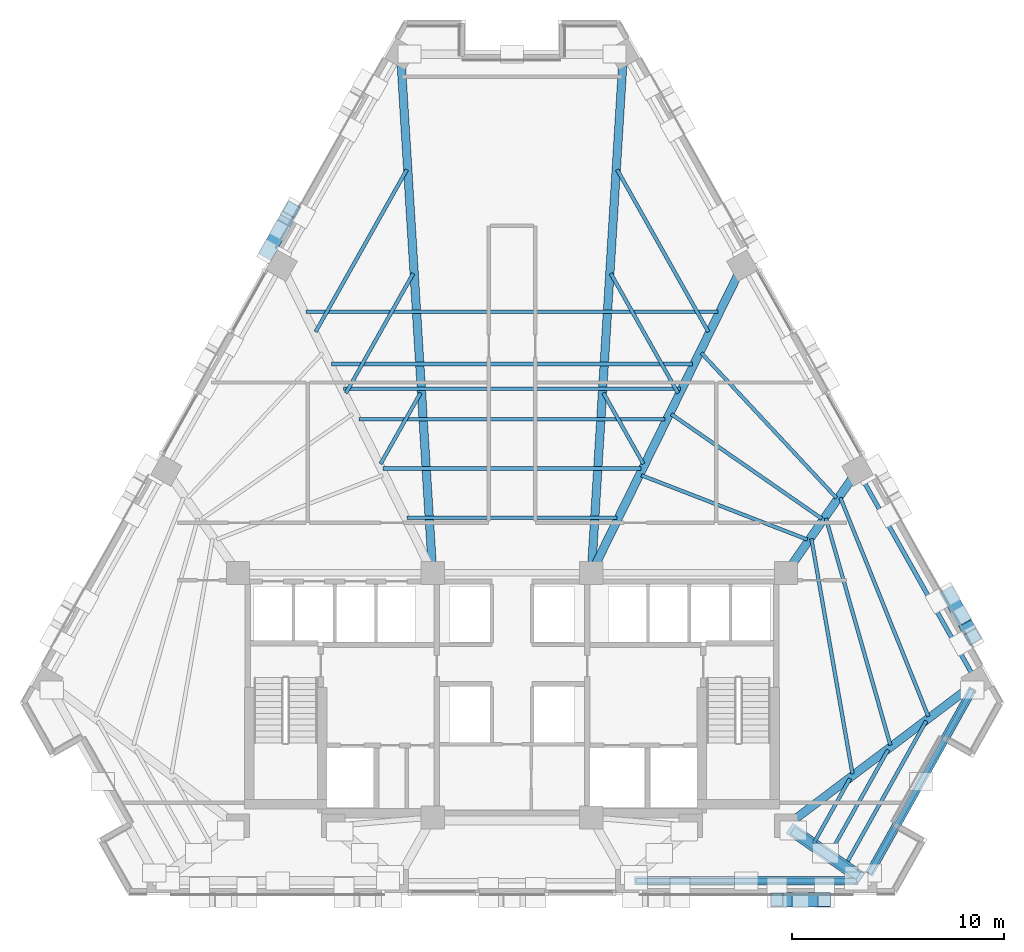
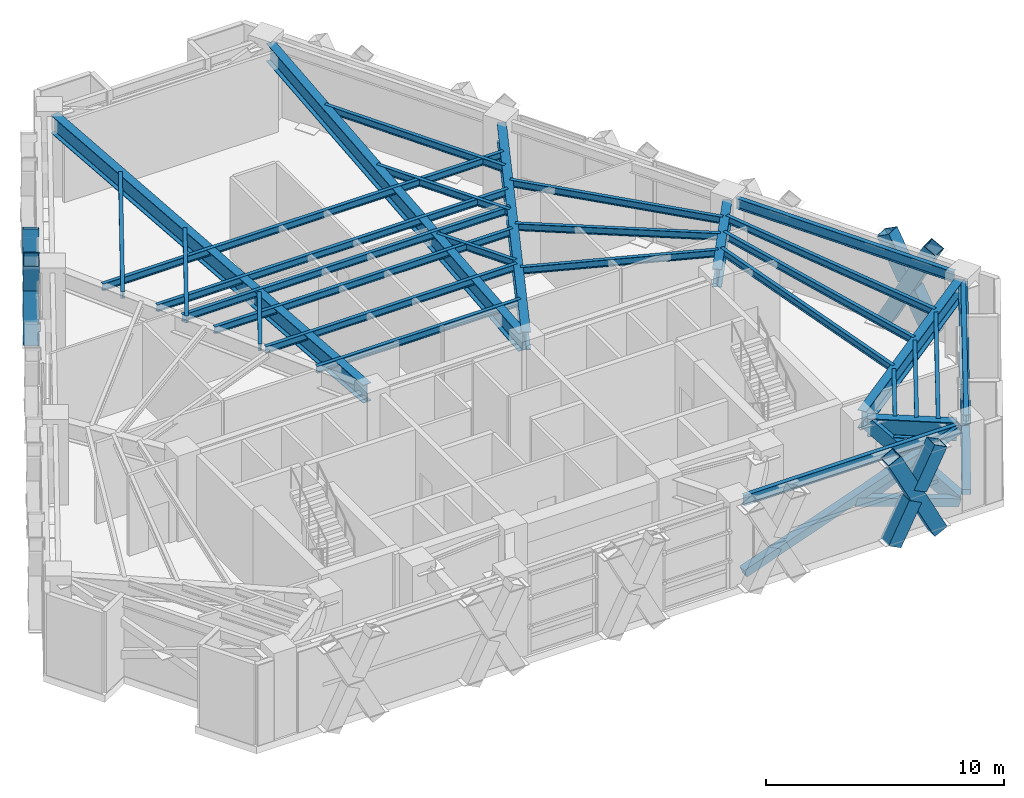
# One storey, part 3 of 12: 30 beams, 16 members.
"""IFC4 building model written with IfcOpenShell, lengths in metres."""

from ifc_helpers import new_model, si_unit, direction, frame, origin, origin_2d, place, context, subcontext, project, spatial, hollow_rectangle, i_section, extrude, material, material_profile, profile_set, type_object, element, save


model = new_model("IFC4")

# Units and contexts
model_context = context("Model", 3, precision=1e-05, world=origin(), true_north=direction((0.0, 1.0)))
body_context = subcontext(model_context, "Body", "Model", "MODEL_VIEW")
ifc_project = project(units=[si_unit("LENGTHUNIT", "METRE"), si_unit("AREAUNIT", "SQUARE_METRE"), si_unit("VOLUMEUNIT", "CUBIC_METRE"), si_unit("PLANEANGLEUNIT", "RADIAN"), si_unit("MASSUNIT", "GRAM", prefix="KILO")], contexts=[model_context])

# Site, building, storey
site_placement = place(None, origin())
site = spatial("IfcSite", under=ifc_project, at=site_placement, CompositionType="ELEMENT")
building_placement = place(site_placement, origin())
building = spatial("IfcBuilding", under=site, at=building_placement, Name="Quenlor Broadcast Tower", CompositionType="ELEMENT")
storey_placement = place(building_placement, frame((0.0, 0.0, 90.60009765625)))
storey = spatial("IfcBuildingStorey", under=building, at=storey_placement, Name="L24", CompositionType="ELEMENT", Elevation=90.60009765625)

# Members
ifc_material_1 = material(Name="Steel S355", Category="steel")
ifc_material_profile_1 = material_profile(ifc_material_1, hollow_rectangle(XDim=0.39990234375, YDim=0.39990234375, WallThickness=0.02197265625, at=origin_2d()))
ifc_profile_set_1 = profile_set([ifc_material_profile_1], Name="Steel S355 RHS400x400x22")
member_type_1 = type_object("IfcMemberType", Name="Belt Truss Diagonal Chord Steel S355 RHS400x22", PredefinedType="CHORD", material=ifc_profile_set_1)
member_1_placement = place(storey_placement, frame((5.86328125, -19.35009765625, 0.199951171875), z_axis=(0.941385713687, 0.0, 0.337332088698), x_axis=(0.0, 1.0, 0.0)))
element("IfcMember", 1, at=member_1_placement, inside=storey, type_object=member_type_1, Name="L24 Belt Truss Continuous Chord 3A", PredefinedType="CHORD", context=body_context, shape_type="SweptSolid", body=[
    extrude(hollow_rectangle(XDim=0.39990234375, YDim=0.39990234375, WallThickness=0.02197265625, at=origin_2d()), origin(), (0.0, 0.0, 1.0), 11.057373046875),
])
member_2_placement = place(storey_placement, frame((11.24658203125, -19.35009765625, 2.000732421875), z_axis=(0.94139585371, 0.0, -0.337303789807), x_axis=(0.0, 1.0, 0.0)))
element("IfcMember", 2, at=member_2_placement, inside=storey, type_object=member_type_1, Name="L24 Belt Truss Split Chord 3B2", PredefinedType="CHORD", context=body_context, shape_type="SweptSolid", body=[
    extrude(hollow_rectangle(XDim=0.39990234375, YDim=0.39990234375, WallThickness=0.02197265625, at=origin_2d()), origin(), (0.0, 0.0, 1.0), 5.3388671875),
])
member_3_placement = place(storey_placement, frame((16.897705078125, -18.983642578125, 0.199951171875), z_axis=(0.457514984103, 0.816680246871, 0.351729176628), x_axis=(-0.872426742385, 0.48874490194, 0.0)))
element("IfcMember", 3, at=member_3_placement, inside=storey, type_object=member_type_1, Name="L24 Belt Truss Continuous Chord 4A", PredefinedType="CHORD", context=body_context, shape_type="SweptSolid", body=[
    extrude(hollow_rectangle(XDim=0.39990234375, YDim=0.39990234375, WallThickness=0.02197265625, at=origin_2d()), origin(), (0.0, 0.0, 1.0), 10.604736328125),
])
member_4_placement = place(storey_placement, frame((16.897705078125, -18.983642578125, 3.929931640625), z_axis=(0.457520158995, 0.816669424813, -0.351747572399), x_axis=(-0.872421623598, 0.488754039042, 0.0)))
element("IfcMember", 4, at=member_4_placement, inside=storey, type_object=member_type_1, Name="L24 Belt Truss Split Chord 4B1", PredefinedType="CHORD", context=body_context, shape_type="SweptSolid", body=[
    extrude(hollow_rectangle(XDim=0.39990234375, YDim=0.39990234375, WallThickness=0.02197265625, at=origin_2d()), origin(), (0.0, 0.0, 1.0), 5.112548828125),
])
member_5_placement = place(storey_placement, frame((19.410400390625, -14.498046875, 1.998046875), z_axis=(0.457545687542, 0.816667237517, -0.35171944356), x_axis=(-0.87240943681, 0.488775791713, 0.0)))
element("IfcMember", 5, at=member_5_placement, inside=storey, type_object=member_type_1, Name="L24 Belt Truss Split Chord 4B2", PredefinedType="CHORD", context=body_context, shape_type="SweptSolid", body=[
    extrude(hollow_rectangle(XDim=0.39990234375, YDim=0.39990234375, WallThickness=0.02197265625, at=origin_2d()), origin(), (0.0, 0.0, 1.0), 5.1123046875),
])
ifc_material_2 = material(Name="Steel S355", Category="steel")
ifc_material_profile_2 = material_profile(ifc_material_2, hollow_rectangle(XDim=0.60009765625, YDim=0.60009765625, WallThickness=0.031982421875, at=origin_2d()))
ifc_profile_set_2 = profile_set([ifc_material_profile_2], Name="Steel S355 RHS600x600x32")
member_type_2 = type_object("IfcMemberType", Name="Lower Outrigger Truss Strut Steel S355 RHS600x32", PredefinedType="STRUT", material=ifc_profile_set_2)
member_6_placement = place(storey_placement, frame((13.278564453125, -16.978271484375, 0.199951171875), z_axis=(0.58127317995, -0.403807070281, 0.706442736718), x_axis=(0.570534149047, 0.82127387927, 0.0)))
element("IfcMember", 6, at=member_6_placement, inside=storey, type_object=member_type_2, Name="L24 Outrigger Continuous Strut 2A", PredefinedType="STRUT", context=body_context, shape_type="SweptSolid", body=[
    extrude(hollow_rectangle(XDim=0.60009765625, YDim=0.60009765625, WallThickness=0.031982421875, at=origin_2d()), origin(), (0.0, 0.0, 1.0), 5.280029296875),
])
for number, where, z_axis, x_axis, name in (
    (7, (13.278564453125, -16.978271484375, 3.929931640625), (0.581284052979, -0.403764310158, -0.706458230609), (0.570486199222, 0.821307187657, 0.0), "L24 Outrigger Split Strut 2B1"),
    (8, (14.975830078125, -18.157470703125, 1.8671875), (0.581284052979, -0.403764310158, -0.706458230609), (0.570486199222, 0.821307187657, 0.0), "L24 Outrigger Split Strut 2B2"),
):
    element("IfcMember", number, at=place(storey_placement, frame(where, z_axis=z_axis, x_axis=x_axis)), inside=storey, type_object=member_type_2, Name=name, PredefinedType="STRUT", context=body_context, shape_type="SweptSolid", body=[
        extrude(hollow_rectangle(XDim=0.60009765625, YDim=0.60009765625, WallThickness=0.031982421875, at=origin_2d()), origin(), (0.0, 0.0, 1.0), 2.360107421875),
    ])

# Beams
ifc_material_3 = material(Name="Steel S355", Category="steel")
ifc_material_profile_3 = material_profile(ifc_material_3, i_section(OverallWidth=0.39990234375, OverallDepth=0.924072265625, WebThickness=0.01611328125, FlangeThickness=0.028076171875, FilletRadius=0.01611328125, at=origin_2d()))
ifc_profile_set_3 = profile_set([ifc_material_profile_3], Name="Steel S355 900WB282")
beam_type_1 = type_object("IfcBeamType", Name="Outrigger Level Collector Girder Steel S355 900WB282", PredefinedType="BEAM", material=ifc_profile_set_3)
beam_1_placement = place(storey_placement, frame((16.355712890625, -19.1162109375, 3.68798828125), z_axis=(-0.821227395059, 0.570601056436, 0.0), x_axis=(-0.570601056436, -0.821227395059, 0.0)))
element("IfcBeam", 9, at=beam_1_placement, inside=storey, type_object=beam_type_1, Name="L24 Primary Radial Beam S4", PredefinedType="BEAM", context=body_context, shape_type="SweptSolid", body=[
    extrude(i_section(OverallWidth=0.39990234375, OverallDepth=0.924072265625, WebThickness=0.01611328125, FlangeThickness=0.028076171875, FilletRadius=0.01611328125, at=origin_2d()), origin(), (0.0, 0.0, 1.0), 3.766845703125),
])
beam_2_placement = place(storey_placement, frame((21.62744140625, -10.203369140625, 3.68798828125), z_axis=(-0.798298724007, -0.602261693327, 0.0), x_axis=(0.602261693327, -0.798298724007, 0.0)))
element("IfcBeam", 10, at=beam_2_placement, inside=storey, type_object=beam_type_1, Name="L24 Primary Radial Beam NE1", PredefinedType="BEAM", context=body_context, shape_type="SweptSolid", body=[
    extrude(i_section(OverallWidth=0.39990234375, OverallDepth=0.924072265625, WebThickness=0.01611328125, FlangeThickness=0.028076171875, FilletRadius=0.01611328125, at=origin_2d()), origin(), (0.0, 0.0, 1.0), 10.48974609375),
])
beam_3_placement = place(storey_placement, frame((16.095458984375, -0.293212890625, 3.68798828125), z_axis=(-0.572337599985, -0.820018092266, 0.0), x_axis=(0.820018092266, -0.572337599985, 0.0)))
element("IfcBeam", 11, at=beam_3_placement, inside=storey, type_object=beam_type_1, Name="L24 Primary Radial Beam NE2", PredefinedType="BEAM", context=body_context, shape_type="SweptSolid", body=[
    extrude(i_section(OverallWidth=0.39990234375, OverallDepth=0.924072265625, WebThickness=0.01611328125, FlangeThickness=0.028076171875, FilletRadius=0.01611328125, at=origin_2d()), origin(), (0.0, 0.0, 1.0), 5.11572265625),
])
beam_4_placement = place(storey_placement, frame((10.7060546875, 9.351806640625, 3.68798828125), z_axis=(-0.441130328176, -0.897443053103, 0.0), x_axis=(0.897443053103, -0.441130328176, 0.0)))
element("IfcBeam", 12, at=beam_4_placement, inside=storey, type_object=beam_type_1, Name="L24 Primary Radial Beam NE3", PredefinedType="BEAM", context=body_context, shape_type="SweptSolid", body=[
    extrude(i_section(OverallWidth=0.39990234375, OverallDepth=0.924072265625, WebThickness=0.01611328125, FlangeThickness=0.028076171875, FilletRadius=0.01611328125, at=origin_2d()), origin(), (0.0, 0.0, 1.0), 15.38916015625),
])
for number, where, z_axis, x_axis, name in (
    (13, (5.237060546875, 19.309814453125, 3.68798828125), (-0.061559977358, -0.998103386022, 0.0), (0.998103386022, -0.061559977358, 0.0), "L24 Primary Radial Beam NE4"),
    (14, (-5.237060546875, 19.309814453125, 3.68798828125), (0.061559977358, -0.998103386022, 0.0), (0.998103386022, 0.061559977358, 0.0), "L24 Primary Radial Beam NW1"),
):
    element("IfcBeam", number, at=place(storey_placement, frame(where, z_axis=z_axis, x_axis=x_axis)), inside=storey, type_object=beam_type_1, Name=name, PredefinedType="BEAM", context=body_context, shape_type="SweptSolid", body=[
        extrude(i_section(OverallWidth=0.39990234375, OverallDepth=0.924072265625, WebThickness=0.01611328125, FlangeThickness=0.028076171875, FilletRadius=0.01611328125, at=origin_2d()), origin(), (0.0, 0.0, 1.0), 23.775634765625),
    ])

# Members
ifc_material_4 = material(Name="Steel S355", Category="steel")
ifc_material_profile_4 = material_profile(ifc_material_4, hollow_rectangle(XDim=0.679931640625, YDim=0.679931640625, WallThickness=0.030029296875, at=origin_2d()))
ifc_profile_set_4 = profile_set([ifc_material_profile_4], Name="Steel S355 RHS680x680x30")
member_type_3 = type_object("IfcMemberType", Name="Perimeter Diagonal Lattice Brace Z2 Steel S355 RHS680x30", PredefinedType="BRACE", material=ifc_profile_set_4)
member_7_placement = place(storey_placement, frame((14.7578125, -20.235107421875, -0.1201171875), z_axis=(-0.454513559564, 0.0, 0.89073981845), x_axis=(0.0, -1.0, 0.0)))
element("IfcMember", 15, at=member_7_placement, inside=storey, type_object=member_type_3, Name="L24 Perimeter Diamond Lattice S-C1XA", PredefinedType="BRACE", context=body_context, shape_type="SweptSolid", body=[
    extrude(hollow_rectangle(XDim=0.679931640625, YDim=0.679931640625, WallThickness=0.030029296875, at=origin_2d()), origin(), (0.0, 0.0, 1.0), 4.939697265625),
])
member_8_placement = place(storey_placement, frame((12.5126953125, -20.235107421875, -0.1201171875), z_axis=(0.454457874742, 0.0, 0.890768230285), x_axis=(0.0, 1.0, 0.0)))
element("IfcMember", 16, at=member_8_placement, inside=storey, type_object=member_type_3, Name="L24 Perimeter Diamond Lattice S-C1XB1", PredefinedType="BRACE", context=body_context, shape_type="SweptSolid", body=[
    extrude(hollow_rectangle(XDim=0.679931640625, YDim=0.679931640625, WallThickness=0.030029296875, at=origin_2d()), origin(), (0.0, 0.0, 1.0), 2.2197265625),
])
member_9_placement = place(storey_placement, frame((13.748779296875, -20.235107421875, 2.302490234375), z_axis=(0.454545137754, 0.0, 0.890723704492), x_axis=(0.0, 1.0, 0.0)))
element("IfcMember", 17, at=member_9_placement, inside=storey, type_object=member_type_3, Name="L24 Perimeter Diamond Lattice S-C1XB2", PredefinedType="BRACE", context=body_context, shape_type="SweptSolid", body=[
    extrude(hollow_rectangle(XDim=0.679931640625, YDim=0.679931640625, WallThickness=0.030029296875, at=origin_2d()), origin(), (0.0, 0.0, 1.0), 2.219970703125),
])
member_10_placement = place(storey_placement, frame((20.643798828125, -5.821044921875, -0.1201171875), z_axis=(0.22659922963, -0.402761062871, 0.886812446556), x_axis=(0.871532878923, 0.490337068716, 0.0)))
element("IfcMember", 18, at=member_10_placement, inside=storey, type_object=member_type_3, Name="L24 Perimeter Diamond Lattice NE-C5XA", PredefinedType="BRACE", context=body_context, shape_type="SweptSolid", body=[
    extrude(hollow_rectangle(XDim=0.679931640625, YDim=0.679931640625, WallThickness=0.030029296875, at=origin_2d()), origin(), (0.0, 0.0, 1.0), 4.96142578125),
])
for number, where, z_axis, x_axis, name in (
    (19, (21.76806640625, -7.8193359375, -0.1201171875), (-0.226549837696, 0.402755267015, 0.886827697995), (-0.871575537125, -0.490261239633, 0.0), "L24 Perimeter Diamond Lattice NE-C5XB1"),
    (20, (21.1494140625, -6.719482421875, 2.301513671875), (-0.226653660987, 0.402745278817, 0.886805704961), (-0.871474328146, -0.490441123258, 0.0), "L24 Perimeter Diamond Lattice NE-C5XB2"),
):
    element("IfcMember", number, at=place(storey_placement, frame(where, z_axis=z_axis, x_axis=x_axis)), inside=storey, type_object=member_type_3, Name=name, PredefinedType="BRACE", context=body_context, shape_type="SweptSolid", body=[
        extrude(hollow_rectangle(XDim=0.679931640625, YDim=0.679931640625, WallThickness=0.030029296875, at=origin_2d()), origin(), (0.0, 0.0, 1.0), 2.230712890625),
    ])
member_11_placement = place(storey_placement, frame((-11.52880859375, 10.3837890625, -0.1201171875), z_axis=(0.226552548286, 0.402765553372, 0.886822333888), x_axis=(-0.871578380919, 0.490256183964, 0.0)))
element("IfcMember", 21, at=member_11_placement, inside=storey, type_object=member_type_3, Name="L24 Perimeter Diamond Lattice NW-C4XA", PredefinedType="BRACE", context=body_context, shape_type="SweptSolid", body=[
    extrude(hollow_rectangle(XDim=0.679931640625, YDim=0.679931640625, WallThickness=0.030029296875, at=origin_2d()), origin(), (0.0, 0.0, 1.0), 4.96142578125),
])
member_12_placement = place(storey_placement, frame((-11.023193359375, 11.2822265625, 2.301513671875), z_axis=(-0.226653660987, -0.402745278817, 0.886805704961), x_axis=(0.871474328146, -0.490441123258, 0.0)))
element("IfcMember", 22, at=member_12_placement, inside=storey, type_object=member_type_3, Name="L24 Perimeter Diamond Lattice NW-C4XB2", PredefinedType="BRACE", context=body_context, shape_type="SweptSolid", body=[
    extrude(hollow_rectangle(XDim=0.679931640625, YDim=0.679931640625, WallThickness=0.030029296875, at=origin_2d()), origin(), (0.0, 0.0, 1.0), 2.230712890625),
])

# Beams
ifc_material_5 = material(Name="Steel S355", Category="steel")
ifc_material_profile_5 = material_profile(ifc_material_5, i_section(OverallWidth=0.208984375, OverallDepth=0.5283203125, WebThickness=0.009521484375, FlangeThickness=0.01318359375, FilletRadius=0.013916015625, at=origin_2d()))
ifc_profile_set_5 = profile_set([ifc_material_profile_5], Name="Steel S355 530UB82.0")
beam_type_2 = type_object("IfcBeamType", Name="Perimeter Spandrel Beam Z2 Steel S355 530UB82.0", PredefinedType="SPANDREL", material=ifc_profile_set_5)
beam_5_placement = place(storey_placement, frame((5.853271484375, -19.35009765625, 3.8857421875), z_axis=(1.0, 0.0, 0.0), x_axis=(0.0, 1.0, 0.0)))
element("IfcBeam", 23, at=beam_5_placement, inside=storey, type_object=beam_type_2, Name="L24 Spandrel Beam S3-S4", PredefinedType="SPANDREL", context=body_context, shape_type="SweptSolid", body=[
    extrude(i_section(OverallWidth=0.208984375, OverallDepth=0.5283203125, WebThickness=0.009521484375, FlangeThickness=0.01318359375, FilletRadius=0.013916015625, at=origin_2d()), origin(), (0.0, 0.0, 1.0), 10.42919921875),
])
beam_6_placement = place(storey_placement, frame((16.892822265625, -18.9921875, 3.8857421875), z_axis=(0.488749102779, 0.872424389006, 0.0), x_axis=(-0.872424389006, 0.488749102779, 0.0)))
element("IfcBeam", 24, at=beam_6_placement, inside=storey, type_object=beam_type_2, Name="L24 Spandrel Beam S4-NE1", PredefinedType="SPANDREL", context=body_context, shape_type="SweptSolid", body=[
    extrude(i_section(OverallWidth=0.208984375, OverallDepth=0.5283203125, WebThickness=0.009521484375, FlangeThickness=0.01318359375, FilletRadius=0.013916015625, at=origin_2d()), origin(), (0.0, 0.0, 1.0), 9.947021484375),
])
beam_7_placement = place(storey_placement, frame((21.753662109375, -9.59912109375, 3.8857421875), z_axis=(-0.490263415828, 0.871574313011, 0.0), x_axis=(-0.871574313011, -0.490263415828, 0.0)))
element("IfcBeam", 25, at=beam_7_placement, inside=storey, type_object=beam_type_2, Name="L24 Spandrel Beam NE1-NE2", PredefinedType="SPANDREL", context=body_context, shape_type="SweptSolid", body=[
    extrude(i_section(OverallWidth=0.208984375, OverallDepth=0.5283203125, WebThickness=0.009521484375, FlangeThickness=0.01318359375, FilletRadius=0.013916015625, at=origin_2d()), origin(), (0.0, 0.0, 1.0), 10.65283203125),
])
ifc_material_6 = material(Name="Steel S355", Category="steel")
ifc_material_profile_6 = material_profile(ifc_material_6, i_section(OverallWidth=0.172119140625, OverallDepth=0.358642578125, WebThickness=0.008056640625, FlangeThickness=0.012939453125, FilletRadius=0.011474609375, at=origin_2d()))
ifc_profile_set_6 = profile_set([ifc_material_profile_6], Name="Steel S355 360UB56.7")
beam_type_3 = type_object("IfcBeamType", Name="Tower Composite Joist Z2-Z3 Steel S355 360UB56.7", PredefinedType="JOIST", material=ifc_profile_set_6)
beam_8_placement = place(storey_placement, frame((-4.95458984375, -2.1865234375, 3.970703125), z_axis=(1.0, 0.0, 0.0), x_axis=(0.0, 1.0, 0.0)))
element("IfcBeam", 26, at=beam_8_placement, inside=storey, type_object=beam_type_3, Name="L24 Secondary Composite Joist 1", PredefinedType="JOIST", context=body_context, shape_type="SweptSolid", body=[
    extrude(i_section(OverallWidth=0.172119140625, OverallDepth=0.358642578125, WebThickness=0.008056640625, FlangeThickness=0.012939453125, FilletRadius=0.011474609375, at=origin_2d()), origin(), (0.0, 0.0, 1.0), 9.9091796875),
])
beam_9_placement = place(storey_placement, frame((-7.9521484375, 3.911865234375, 3.970703125), z_axis=(1.0, 0.0, 0.0), x_axis=(0.0, 1.0, 0.0)))
element("IfcBeam", 27, at=beam_9_placement, inside=storey, type_object=beam_type_3, Name="L24 Secondary Composite Joist 2", PredefinedType="JOIST", context=body_context, shape_type="SweptSolid", body=[
    extrude(i_section(OverallWidth=0.172119140625, OverallDepth=0.358642578125, WebThickness=0.008056640625, FlangeThickness=0.012939453125, FilletRadius=0.011474609375, at=origin_2d()), origin(), (0.0, 0.0, 1.0), 15.904296875),
])
beam_10_placement = place(storey_placement, frame((-6.096435546875, 0.13671875, 3.970703125), z_axis=(1.0, 0.0, 0.0), x_axis=(0.0, 1.0, 0.0)))
element("IfcBeam", 28, at=beam_10_placement, inside=storey, type_object=beam_type_3, Name="L24 Secondary Composite Joist 3", PredefinedType="JOIST", context=body_context, shape_type="SweptSolid", body=[
    extrude(i_section(OverallWidth=0.172119140625, OverallDepth=0.358642578125, WebThickness=0.008056640625, FlangeThickness=0.012939453125, FilletRadius=0.011474609375, at=origin_2d()), origin(), (0.0, 0.0, 1.0), 12.19287109375),
])
beam_11_placement = place(storey_placement, frame((-7.238525390625, 2.4599609375, 3.970703125), z_axis=(1.0, 0.0, 0.0), x_axis=(0.0, 1.0, 0.0)))
element("IfcBeam", 29, at=beam_11_placement, inside=storey, type_object=beam_type_3, Name="L24 Secondary Composite Joist 4", PredefinedType="JOIST", context=body_context, shape_type="SweptSolid", body=[
    extrude(i_section(OverallWidth=0.172119140625, OverallDepth=0.358642578125, WebThickness=0.008056640625, FlangeThickness=0.012939453125, FilletRadius=0.011474609375, at=origin_2d()), origin(), (0.0, 0.0, 1.0), 14.47705078125),
])
beam_12_placement = place(storey_placement, frame((-8.523193359375, 5.073486328125, 3.970703125), z_axis=(1.0, 0.0, 0.0), x_axis=(0.0, 1.0, 0.0)))
element("IfcBeam", 30, at=beam_12_placement, inside=storey, type_object=beam_type_3, Name="L24 Secondary Composite Joist 5", PredefinedType="JOIST", context=body_context, shape_type="SweptSolid", body=[
    extrude(i_section(OverallWidth=0.172119140625, OverallDepth=0.358642578125, WebThickness=0.008056640625, FlangeThickness=0.012939453125, FilletRadius=0.011474609375, at=origin_2d()), origin(), (0.0, 0.0, 1.0), 17.04638671875),
])
beam_13_placement = place(storey_placement, frame((-9.736328125, 7.541748046875, 3.970703125), z_axis=(1.0, 0.0, 0.0), x_axis=(0.0, 1.0, 0.0)))
element("IfcBeam", 31, at=beam_13_placement, inside=storey, type_object=beam_type_3, Name="L24 Secondary Composite Joist 6", PredefinedType="JOIST", context=body_context, shape_type="SweptSolid", body=[
    extrude(i_section(OverallWidth=0.172119140625, OverallDepth=0.358642578125, WebThickness=0.008056640625, FlangeThickness=0.012939453125, FilletRadius=0.011474609375, at=origin_2d()), origin(), (0.0, 0.0, 1.0), 19.47265625),
])
beam_14_placement = place(storey_placement, frame((13.95703125, -3.221435546875, 3.970703125), z_axis=(-0.932542579586, 0.361060018916, 0.0), x_axis=(-0.361060018916, -0.932542579586, 0.0)))
element("IfcBeam", 32, at=beam_14_placement, inside=storey, type_object=beam_type_3, Name="L24 Secondary Composite Joist 10", PredefinedType="JOIST", context=body_context, shape_type="SweptSolid", body=[
    extrude(i_section(OverallWidth=0.172119140625, OverallDepth=0.358642578125, WebThickness=0.008056640625, FlangeThickness=0.012939453125, FilletRadius=0.011474609375, at=origin_2d()), origin(), (0.0, 0.0, 1.0), 8.416259765625),
])
beam_15_placement = place(storey_placement, frame((14.641845703125, -2.236083984375, 3.970703125), z_axis=(-0.821385737622, 0.570373097219, 0.0), x_axis=(-0.570373097219, -0.821385737622, 0.0)))
element("IfcBeam", 33, at=beam_15_placement, inside=storey, type_object=beam_type_3, Name="L24 Secondary Composite Joist 11", PredefinedType="JOIST", context=body_context, shape_type="SweptSolid", body=[
    extrude(i_section(OverallWidth=0.172119140625, OverallDepth=0.358642578125, WebThickness=0.008056640625, FlangeThickness=0.012939453125, FilletRadius=0.011474609375, at=origin_2d()), origin(), (0.0, 0.0, 1.0), 8.662109375),
])
beam_16_placement = place(storey_placement, frame((15.3291015625, -1.254638671875, 3.970703125), z_axis=(-0.681880655944, 0.73146344478, 0.0), x_axis=(-0.73146344478, -0.681880655944, 0.0)))
element("IfcBeam", 34, at=beam_16_placement, inside=storey, type_object=beam_type_3, Name="L24 Secondary Composite Joist 12", PredefinedType="JOIST", context=body_context, shape_type="SweptSolid", body=[
    extrude(i_section(OverallWidth=0.172119140625, OverallDepth=0.358642578125, WebThickness=0.008056640625, FlangeThickness=0.012939453125, FilletRadius=0.011474609375, at=origin_2d()), origin(), (0.0, 0.0, 1.0), 9.365234375),
])
beam_17_placement = place(storey_placement, frame((16.087890625, -14.29345703125, 3.970703125), z_axis=(-0.172120396521, 0.985075920476, 0.0), x_axis=(-0.985075920476, -0.172120396521, 0.0)))
element("IfcBeam", 35, at=beam_17_placement, inside=storey, type_object=beam_type_3, Name="L24 Secondary Composite Joist 16", PredefinedType="JOIST", context=body_context, shape_type="SweptSolid", body=[
    extrude(i_section(OverallWidth=0.172119140625, OverallDepth=0.358642578125, WebThickness=0.008056640625, FlangeThickness=0.012939453125, FilletRadius=0.011474609375, at=origin_2d()), origin(), (0.0, 0.0, 1.0), 11.27783203125),
])
beam_18_placement = place(storey_placement, frame((17.880615234375, -12.9365234375, 3.970703125), z_axis=(-0.273563993601, 0.96185380459, 0.0), x_axis=(-0.96185380459, -0.273563993601, 0.0)))
element("IfcBeam", 36, at=beam_18_placement, inside=storey, type_object=beam_type_3, Name="L24 Secondary Composite Joist 17", PredefinedType="JOIST", context=body_context, shape_type="SweptSolid", body=[
    extrude(i_section(OverallWidth=0.172119140625, OverallDepth=0.358642578125, WebThickness=0.008056640625, FlangeThickness=0.012939453125, FilletRadius=0.011474609375, at=origin_2d()), origin(), (0.0, 0.0, 1.0), 11.1484375),
])
beam_19_placement = place(storey_placement, frame((19.673583984375, -11.580810546875, 3.970703125), z_axis=(-0.373180395983, 0.92775880058, 0.0), x_axis=(-0.92775880058, -0.373180395983, 0.0)))
element("IfcBeam", 37, at=beam_19_placement, inside=storey, type_object=beam_type_3, Name="L24 Secondary Composite Joist 18", PredefinedType="JOIST", context=body_context, shape_type="SweptSolid", body=[
    extrude(i_section(OverallWidth=0.172119140625, OverallDepth=0.358642578125, WebThickness=0.008056640625, FlangeThickness=0.012939453125, FilletRadius=0.011474609375, at=origin_2d()), origin(), (0.0, 0.0, 1.0), 11.143798828125),
])
beam_20_placement = place(storey_placement, frame((14.261474609375, -17.564208984375, 3.970703125), z_axis=(0.488730779643, 0.87243465373, 0.0), x_axis=(-0.87243465373, 0.488730779643, 0.0)))
element("IfcBeam", 38, at=beam_20_placement, inside=storey, type_object=beam_type_3, Name="L24 Secondary Composite Joist 22", PredefinedType="JOIST", context=body_context, shape_type="SweptSolid", body=[
    extrude(i_section(OverallWidth=0.172119140625, OverallDepth=0.358642578125, WebThickness=0.008056640625, FlangeThickness=0.012939453125, FilletRadius=0.011474609375, at=origin_2d()), origin(), (0.0, 0.0, 1.0), 3.500732421875),
])
beam_21_placement = place(storey_placement, frame((15.010009765625, -18.084228515625, 3.970703125), z_axis=(0.488741419435, 0.87242869332, 0.0), x_axis=(-0.87242869332, 0.488741419435, 0.0)))
element("IfcBeam", 39, at=beam_21_placement, inside=storey, type_object=beam_type_3, Name="L24 Secondary Composite Joist 23", PredefinedType="JOIST", context=body_context, shape_type="SweptSolid", body=[
    extrude(i_section(OverallWidth=0.172119140625, OverallDepth=0.358642578125, WebThickness=0.008056640625, FlangeThickness=0.012939453125, FilletRadius=0.011474609375, at=origin_2d()), origin(), (0.0, 0.0, 1.0), 5.654052734375),
])
beam_22_placement = place(storey_placement, frame((15.758544921875, -18.604248046875, 3.970703125), z_axis=(0.488732857155, 0.872433489922, 0.0), x_axis=(-0.872433489922, 0.488732857155, 0.0)))
element("IfcBeam", 40, at=beam_22_placement, inside=storey, type_object=beam_type_3, Name="L24 Secondary Composite Joist 24", PredefinedType="JOIST", context=body_context, shape_type="SweptSolid", body=[
    extrude(i_section(OverallWidth=0.172119140625, OverallDepth=0.358642578125, WebThickness=0.008056640625, FlangeThickness=0.012939453125, FilletRadius=0.011474609375, at=origin_2d()), origin(), (0.0, 0.0, 1.0), 7.807861328125),
])
beam_23_placement = place(storey_placement, frame((-4.318603515625, 3.7119140625, 3.970703125), z_axis=(-0.49024921379, -0.871582301552, 0.0), x_axis=(0.871582301552, -0.49024921379, 0.0)))
element("IfcBeam", 41, at=beam_23_placement, inside=storey, type_object=beam_type_3, Name="L24 Secondary Composite Joist 25", PredefinedType="JOIST", context=body_context, shape_type="SweptSolid", body=[
    extrude(i_section(OverallWidth=0.172119140625, OverallDepth=0.358642578125, WebThickness=0.008056640625, FlangeThickness=0.012939453125, FilletRadius=0.011474609375, at=origin_2d()), origin(), (0.0, 0.0, 1.0), 3.85546875),
])
beam_24_placement = place(storey_placement, frame((-4.66650390625, 9.351318359375, 3.970703125), z_axis=(-0.490232680913, -0.871591600789, 0.0), x_axis=(0.871591600789, -0.490232680913, 0.0)))
element("IfcBeam", 42, at=beam_24_placement, inside=storey, type_object=beam_type_3, Name="L24 Secondary Composite Joist 26", PredefinedType="JOIST", context=body_context, shape_type="SweptSolid", body=[
    extrude(i_section(OverallWidth=0.172119140625, OverallDepth=0.358642578125, WebThickness=0.008056640625, FlangeThickness=0.012939453125, FilletRadius=0.011474609375, at=origin_2d()), origin(), (0.0, 0.0, 1.0), 6.494140625),
])
beam_25_placement = place(storey_placement, frame((-4.96875, 14.255126953125, 3.970703125), z_axis=(-0.490273109583, -0.871568860171, 0.0), x_axis=(0.871568860171, -0.490273109583, 0.0)))
element("IfcBeam", 43, at=beam_25_placement, inside=storey, type_object=beam_type_3, Name="L24 Secondary Composite Joist 27", PredefinedType="JOIST", context=body_context, shape_type="SweptSolid", body=[
    extrude(i_section(OverallWidth=0.172119140625, OverallDepth=0.358642578125, WebThickness=0.008056640625, FlangeThickness=0.012939453125, FilletRadius=0.011474609375, at=origin_2d()), origin(), (0.0, 0.0, 1.0), 8.78857421875),
])
beam_26_placement = place(storey_placement, frame((4.318603515625, 3.7119140625, 3.970703125), z_axis=(0.49024921379, -0.871582301552, 0.0), x_axis=(0.871582301552, 0.49024921379, 0.0)))
element("IfcBeam", 44, at=beam_26_placement, inside=storey, type_object=beam_type_3, Name="L24 Secondary Composite Joist 28", PredefinedType="JOIST", context=body_context, shape_type="SweptSolid", body=[
    extrude(i_section(OverallWidth=0.172119140625, OverallDepth=0.358642578125, WebThickness=0.008056640625, FlangeThickness=0.012939453125, FilletRadius=0.011474609375, at=origin_2d()), origin(), (0.0, 0.0, 1.0), 3.85546875),
])
beam_27_placement = place(storey_placement, frame((4.66650390625, 9.351318359375, 3.970703125), z_axis=(0.490232680913, -0.871591600789, 0.0), x_axis=(0.871591600789, 0.490232680913, 0.0)))
element("IfcBeam", 45, at=beam_27_placement, inside=storey, type_object=beam_type_3, Name="L24 Secondary Composite Joist 29", PredefinedType="JOIST", context=body_context, shape_type="SweptSolid", body=[
    extrude(i_section(OverallWidth=0.172119140625, OverallDepth=0.358642578125, WebThickness=0.008056640625, FlangeThickness=0.012939453125, FilletRadius=0.011474609375, at=origin_2d()), origin(), (0.0, 0.0, 1.0), 6.494140625),
])
beam_28_placement = place(storey_placement, frame((4.96875, 14.255126953125, 3.970703125), z_axis=(0.490273109583, -0.871568860171, 0.0), x_axis=(0.871568860171, 0.490273109583, 0.0)))
element("IfcBeam", 46, at=beam_28_placement, inside=storey, type_object=beam_type_3, Name="L24 Secondary Composite Joist 30", PredefinedType="JOIST", context=body_context, shape_type="SweptSolid", body=[
    extrude(i_section(OverallWidth=0.172119140625, OverallDepth=0.358642578125, WebThickness=0.008056640625, FlangeThickness=0.012939453125, FilletRadius=0.011474609375, at=origin_2d()), origin(), (0.0, 0.0, 1.0), 8.78857421875),
])

save(model, "model.ifc")
